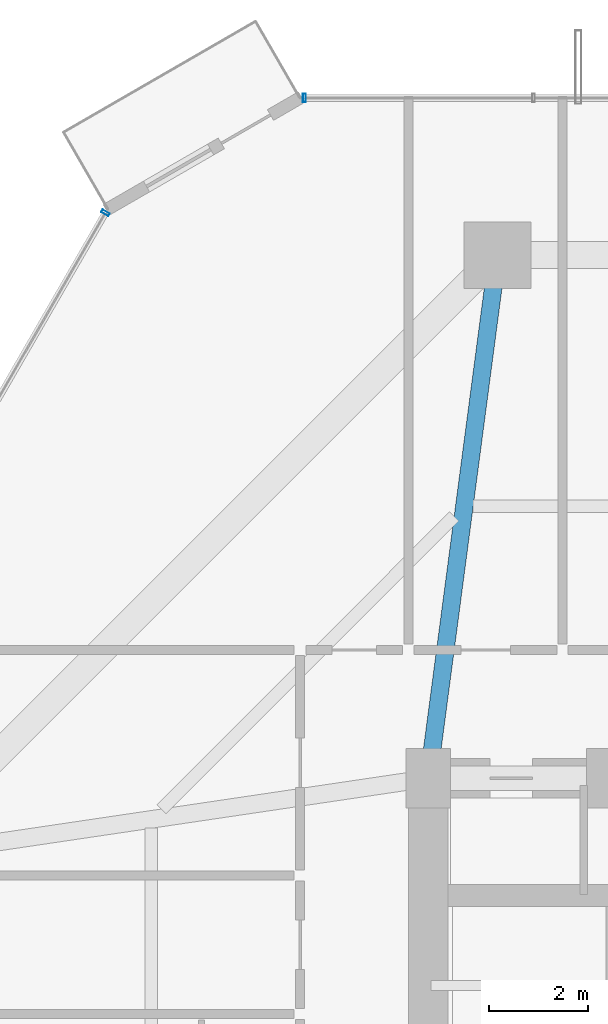
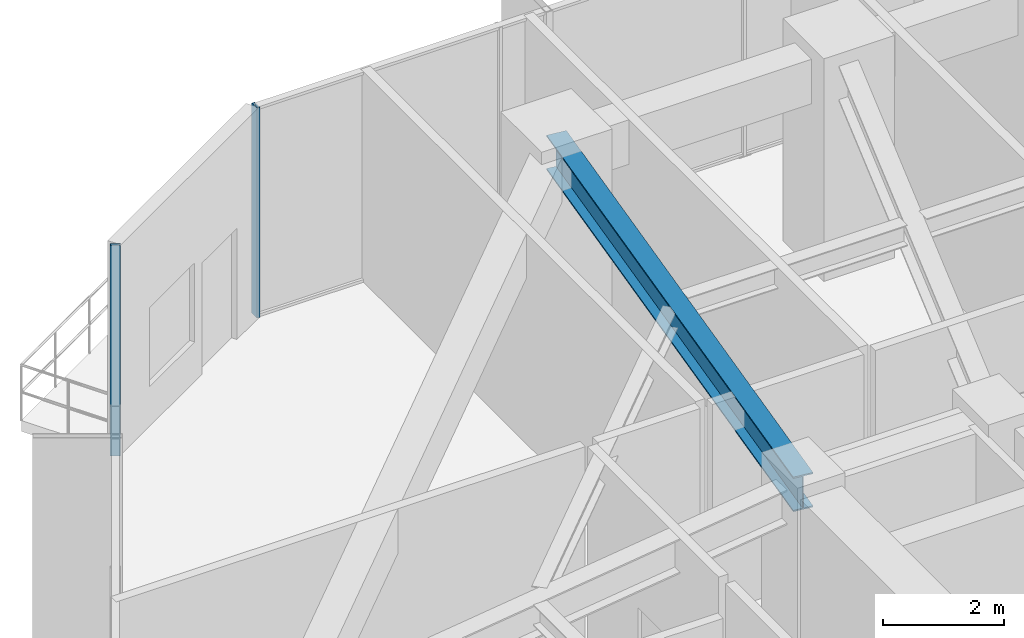
# One storey, part 25 of 39: 2 members, 1 beam, 2 elements without a shape of their own.
"""IFC4 building model written with IfcOpenShell, lengths in metres."""

from ifc_helpers import new_model, si_unit, direction, frame, origin, origin_2d, place, context, subcontext, project, spatial, hollow_rectangle, i_section, extrude, source, transform, mapped, material, layer, layer_set, material_profile, profile_set, type_object, element, aggregate, save


model = new_model("IFC4")

# Units and contexts
model_context = context("Model", 3, precision=1e-05, world=origin(), true_north=direction((0.0, 1.0)))
body_context = subcontext(model_context, "Body", "Model", "MODEL_VIEW")
ifc_project = project(units=[si_unit("LENGTHUNIT", "METRE"), si_unit("AREAUNIT", "SQUARE_METRE"), si_unit("VOLUMEUNIT", "CUBIC_METRE"), si_unit("PLANEANGLEUNIT", "RADIAN"), si_unit("MASSUNIT", "GRAM", prefix="KILO")], contexts=[model_context])

# Site, building, storey
site_placement = place(None, origin())
site = spatial("IfcSite", under=ifc_project, at=site_placement, CompositionType="ELEMENT")
building_placement = place(site_placement, origin())
building = spatial("IfcBuilding", under=site, at=building_placement, Name="Veraguas Prism Commons", CompositionType="ELEMENT")
storey_placement = place(building_placement, frame((0.0, 0.0, 22.800048828125)))
storey = spatial("IfcBuildingStorey", under=building, at=storey_placement, Name="L05", CompositionType="ELEMENT", Elevation=22.800048828125)

# Beam
ifc_material_1 = material(Name="Steel ASTM A992 Grade 50", Category="steel")
ifc_material_profile_1 = material_profile(ifc_material_1, i_section(OverallWidth=0.35595703125, OverallDepth=0.700927734375, WebThickness=0.016845703125, FlangeThickness=0.02734375, at=origin_2d()), Name="W690X240")
ifc_profile_set_1 = profile_set([ifc_material_profile_1], Name="Steel ASTM A992 Grade 50")
beam_type = type_object("IfcBeamType", Name="Zone 1 Radial Girder W690x240", PredefinedType="BEAM", material=ifc_profile_set_1)
beam_placement = place(storey_placement, frame((18.60009765625, 41.60009765625, 3.8994140625), z_axis=(-0.130950648891, -0.991388888154, 0.0), x_axis=(0.991388888154, -0.130950648891, 0.0)))
element("IfcBeam", 1, at=beam_placement, inside=storey, type_object=beam_type, Name="Radial Floor Girder L05-RD06", PredefinedType="BEAM", context=body_context, shape_type="SweptSolid", body=[
    extrude(i_section(OverallWidth=0.35595703125, OverallDepth=0.700927734375, WebThickness=0.016845703125, FlangeThickness=0.02734375, at=origin_2d()), origin(), (0.0, 0.0, 1.0), 10.692138671875),
])

# Curtain wall, member
ifc_material_2 = material(Name="Anodised aluminium EN AW-6063 T6", Category="aluminium")
ifc_layer = layer(ifc_material_2, 0.169921875, Name="Unitised Flush Curtain Wall Zone 1", Category="aluminium")
ifc_layer_set = layer_set([ifc_layer], Name="Anodised aluminium EN AW-6063 T6")
curtain_wall_type = type_object("IfcCurtainWallType", Name="Unitised Flush Curtain Wall Zone 1", PredefinedType="NOTDEFINED", material=ifc_layer_set)
curtain_wall_1_placement = place(storey_placement, origin())
curtain_wall_1 = element("IfcCurtainWall", 2, at=curtain_wall_1_placement, inside=storey, type_object=curtain_wall_type, Name="Tower Facade Curtain Wall L05-F2", PredefinedType="NOTDEFINED")
ifc_material_profile_2 = material_profile(ifc_material_2, hollow_rectangle(XDim=0.06005859375, YDim=0.169921875, WallThickness=0.00390625, at=origin_2d()), Name="AL60X170X4")
ifc_profile_set_2 = profile_set([ifc_material_profile_2], Name="Anodised aluminium EN AW-6063 T6")
member_type = type_object("IfcMemberType", Name="Curtain Wall Mullion Lower AL 60x170x4", PredefinedType="MULLION", material=ifc_profile_set_2)
shared_shape = source(origin(), body_context, "Body", "SweptSolid", [
    extrude(hollow_rectangle(XDim=0.06005859375, YDim=0.169921875, WallThickness=0.00390625, at=origin_2d()), origin(), (0.0, 0.0, 1.0), 4.25),
])
member_1_placement = place(storey_placement, frame((14.68798828125, 44.78466796875, 0.0), z_axis=(0.0, 0.0, 1.0), x_axis=(-1.0, 0.0, 0.0)))
member_1 = element("IfcMember", 3, at=member_1_placement, type_object=member_type, Name="CW-Z1 Mullion 5", PredefinedType="MULLION", context=body_context, shape_type="MappedRepresentation", body=[
    mapped(shared_shape, transform((0.0, 0.0, 0.0), scale=1.0)),
])
aggregate(curtain_wall_1, [member_1])

curtain_wall_2_placement = place(storey_placement, origin())
curtain_wall_2 = element("IfcCurtainWall", 4, at=curtain_wall_2_placement, inside=storey, type_object=curtain_wall_type, Name="Tower Facade Curtain Wall L05-F3", PredefinedType="NOTDEFINED")
member_2_placement = place(storey_placement, frame((10.656005859375, 42.45654296875, 0.0), z_axis=(0.0, 0.0, 1.0), x_axis=(-0.500004534492, -0.866022785779, 0.0)))
member_2 = element("IfcMember", 5, at=member_2_placement, type_object=member_type, Name="CW-Z1 Mullion 1", PredefinedType="MULLION", context=body_context, shape_type="MappedRepresentation", body=[
    mapped(shared_shape, transform((0.0, 0.0, 0.0), scale=1.0)),
])
aggregate(curtain_wall_2, [member_2])

save(model, "model.ifc")
